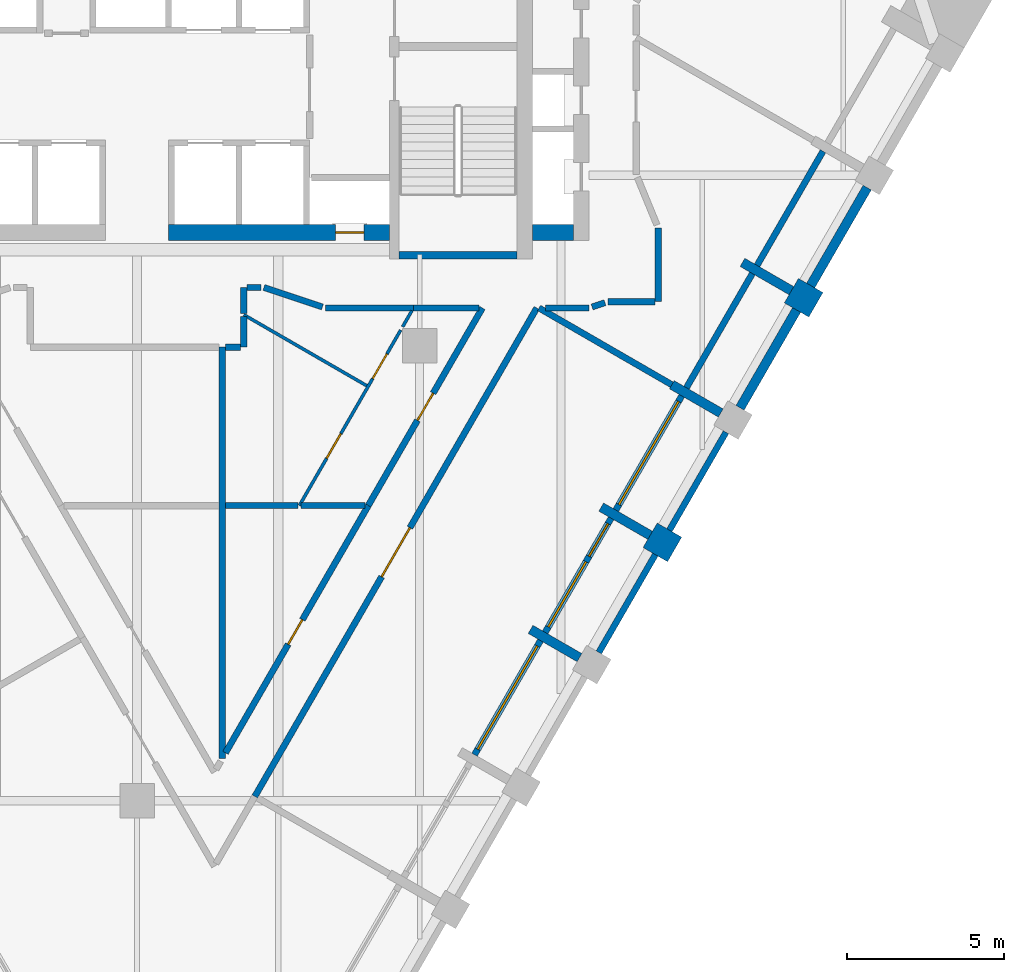
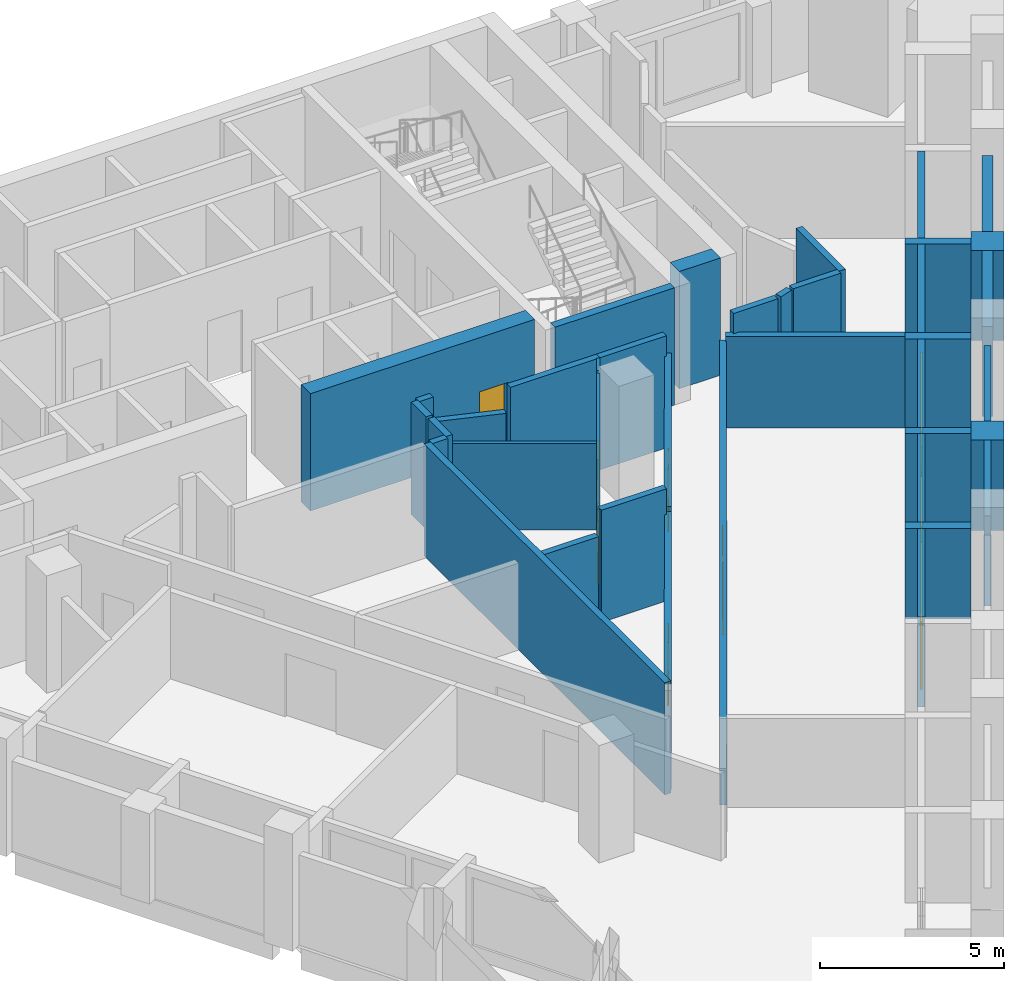
# One storey, part 4 of 9: 39 walls, 7 doors, 3 windows, 10 openings.
"""IFC4 building model written with IfcOpenShell, lengths in metres."""

import ifcopenshell
import ifcopenshell.guid

model = None  # the IFC model being written
_history = None  # IfcOwnerHistory: only IFC2X3 demands one
_inside = {}  # id of a spatial element -> (the spatial element, [elements in it])
_under = {}  # id of a project, library or spatial element -> (it, [spatial elements below it])
_declared = {}  # id of a project -> (the project, [libraries it declares])
_typed = {}  # id of a type object -> (the type object, [elements of that type])
_made_of = {}  # id of a material, layer set ... -> (it, [elements and type objects made of it])


def new_model(schema):
    """Start an empty IFC model of exactly this schema.

    Asked for "IFC4X3", IfcOpenShell would pick the latest addendum, in which some entities
    have other attributes; the version numbers below select the first issue.
    IFC2X3 requires an IfcOwnerHistory on every rooted entity: one is made here for all.
    """
    global model, _history
    if schema == "IFC4X3":
        model = ifcopenshell.file(schema_version=(4, 3, 0, 0))
    else:
        model = ifcopenshell.file(schema=schema)
    _inside.clear()
    _under.clear()
    _declared.clear()
    _typed.clear()
    _made_of.clear()
    _history = None
    if model.schema == "IFC2X3":
        org = make("IfcOrganization", Name="unknown")
        user = make(
            "IfcPersonAndOrganization",
            ThePerson=make("IfcPerson", FamilyName="unknown"),
            TheOrganization=org,
        )
        app = make(
            "IfcApplication",
            ApplicationDeveloper=org,
            Version="unknown",
            ApplicationFullName="unknown",
            ApplicationIdentifier="unknown",
        )
        _history = make(
            "IfcOwnerHistory",
            OwningUser=user,
            OwningApplication=app,
            ChangeAction="ADDED",
            CreationDate=0,
        )
    return model


def make(cls, **values):
    """One entity of the class cls with the attributes given. An attribute that is None is left unset."""
    return model.create_entity(
        cls, **{name: value for name, value in values.items() if value is not None}
    )


def rooted(cls, **values):
    """An entity with a GlobalId (a new one), such as an element, a storey or a relation."""
    return make(cls, GlobalId=ifcopenshell.guid.new(), OwnerHistory=_history, **values)


def si_unit(unit_type, name, prefix=None):
    """IfcSIUnit, for example si_unit("LENGTHUNIT", "METRE", prefix="MILLI")."""
    return make("IfcSIUnit", UnitType=unit_type, Prefix=prefix, Name=name)


def assignment(units):
    """IfcUnitAssignment: the units of a project."""
    return None if units is None else make("IfcUnitAssignment", Units=units)


def point(xyz):
    """IfcCartesianPoint."""
    return None if xyz is None else make("IfcCartesianPoint", Coordinates=xyz)


def direction(xyz):
    """IfcDirection."""
    return None if xyz is None else make("IfcDirection", DirectionRatios=xyz)


def frame(location, z_axis=None, x_axis=None):
    """IfcAxis2Placement3D, a coordinate frame: its origin and axes. An axis left out is left unset."""
    return make(
        "IfcAxis2Placement3D",
        Location=point(location),
        Axis=direction(z_axis),
        RefDirection=direction(x_axis),
    )


def frame_2d(location, x_axis=None):
    """IfcAxis2Placement2D, a coordinate frame in the plane: its origin and x axis."""
    return make(
        "IfcAxis2Placement2D", Location=point(location), RefDirection=direction(x_axis)
    )


def origin():
    """The frame at (0, 0, 0) with its axes left unset."""
    return frame((0.0, 0.0, 0.0))


def place(relative_to, where):
    """IfcLocalPlacement: puts the frame where relative to a parent placement (None: the world)."""
    return make(
        "IfcLocalPlacement", PlacementRelTo=relative_to, RelativePlacement=where
    )


def context(
    kind, dimensions, precision=None, world=None, true_north=None, identifier=None
):
    """IfcGeometricRepresentationContext, for example the 3D "Model" context."""
    return make(
        "IfcGeometricRepresentationContext",
        ContextIdentifier=identifier,
        ContextType=kind,
        CoordinateSpaceDimension=dimensions,
        Precision=precision,
        WorldCoordinateSystem=world,
        TrueNorth=true_north,
    )


def subcontext(parent, identifier, kind, view, scale=None):
    """IfcGeometricRepresentationSubContext, for example "Body" below "Model"."""
    return make(
        "IfcGeometricRepresentationSubContext",
        ContextIdentifier=identifier,
        ContextType=kind,
        ParentContext=parent,
        TargetScale=scale,
        TargetView=view,
    )


def project(units=None, contexts=None):
    """IfcProject with its units and contexts."""
    return rooted(
        "IfcProject",
        Name="project",
        RepresentationContexts=contexts,
        UnitsInContext=assignment(units),
    )


def spatial(cls, under=None, at=None, **own):
    """A site, building, storey or space (cls), placed at a placement, below another one or the project."""
    s = rooted(cls, ObjectPlacement=at, **own)
    if under is not None:
        _under.setdefault(under.id(), (under, []))[1].append(s)
    return s


def polyline(points):
    """IfcPolyline through the points."""
    return make("IfcPolyline", Points=[point(p) for p in points])


def profile(cls, at=None, kind="AREA", **sizes):
    """A parametric profile (cls). Its sizes go by their IFC names, for example OverallWidth=200.0."""
    return make(cls, ProfileType=kind, Position=at, **sizes)


def rectangle(**sizes):
    """IfcRectangleProfileDef."""
    return profile("IfcRectangleProfileDef", **sizes)


def outline(outer, holes=None, kind="AREA"):
    """IfcArbitraryClosedProfileDef: a profile drawn as a closed curve; with holes, ...WithVoids."""
    if holes is None:
        return make("IfcArbitraryClosedProfileDef", ProfileType=kind, OuterCurve=outer)
    return make(
        "IfcArbitraryProfileDefWithVoids",
        ProfileType=kind,
        OuterCurve=outer,
        InnerCurves=holes,
    )


def extrude(swept, where, along, depth):
    """IfcExtrudedAreaSolid: the profile swept, set in the frame where, extruded along a direction by depth."""
    return make(
        "IfcExtrudedAreaSolid",
        SweptArea=swept,
        Position=where,
        ExtrudedDirection=direction(along),
        Depth=depth,
    )


def shape(context_of_items, identifier, shape_type, items):
    """IfcShapeRepresentation: the items that make up one representation, for example the "Body"."""
    return make(
        "IfcShapeRepresentation",
        ContextOfItems=context_of_items,
        RepresentationIdentifier=identifier,
        RepresentationType=shape_type,
        Items=items,
    )


def material(Name=None, Category=None):
    """IfcMaterial."""
    return make("IfcMaterial", Name=Name, Category=Category)


def layer(
    of_material, thickness, ventilated=None, Name=None, Category=None, Priority=None
):
    """IfcMaterialLayer: one layer of a wall or slab, of a material (None: an air gap)."""
    return make(
        "IfcMaterialLayer",
        Material=of_material,
        LayerThickness=thickness,
        IsVentilated=ventilated,
        Name=Name,
        Category=Category,
        Priority=Priority,
    )


def layer_set(layers, Name=None):
    """IfcMaterialLayerSet."""
    return make("IfcMaterialLayerSet", MaterialLayers=layers, LayerSetName=Name)


def made_of(thing, what):
    """Note that an element or type object is made of a material, layer set ...; save() writes the relation."""
    if what is not None:
        _made_of.setdefault(what.id(), (what, []))[1].append(thing)
    return thing


def type_object(cls, material=None, **own):
    """A type object (cls), such as IfcWallType, which elements share."""
    return made_of(rooted(cls, **own), material)


def element(
    cls,
    number,
    at=None,
    inside=None,
    cuts=None,
    type_object=None,
    material=None,
    context=None,
    identifier="Body",
    shape_type=None,
    held_by="IfcProductDefinitionShape",
    body=None,
    shapes=None,
    **own,
):
    """One element of the class cls, such as IfcWall. Its Tag is "e" and its number.

    at: its placement. inside: the storey or other place that contains it. cuts: it is an
    opening in that element (IfcRelVoidsElement). A single representation is given by context,
    identifier, shape_type and body (its items); several are given by shapes. held_by: the class
    of the entity that holds the representations. save() writes the other relations.
    """
    e = rooted(cls, Tag="e%d" % number, ObjectPlacement=at, **own)
    if body is not None:
        shapes = [shape(context, identifier, shape_type, body)]
    if shapes is not None:
        e.Representation = make(held_by, Representations=shapes)
    if inside is not None:
        _inside.setdefault(inside.id(), (inside, []))[1].append(e)
    if cuts is not None:
        rooted(
            "IfcRelVoidsElement", RelatingBuildingElement=cuts, RelatedOpeningElement=e
        )
    if type_object is not None:
        _typed.setdefault(type_object.id(), (type_object, []))[1].append(e)
    return made_of(e, material)


def fill(opening, filler):
    """IfcRelFillsElement: the door or window that sits in an opening."""
    return rooted(
        "IfcRelFillsElement",
        RelatingOpeningElement=opening,
        RelatedBuildingElement=filler,
    )


def aggregate(whole, parts):
    """IfcRelAggregates: a whole, such as a stair, and the parts it consists of."""
    return rooted("IfcRelAggregates", RelatingObject=whole, RelatedObjects=parts)


def save(model, path):
    """Write the relations noted so far, then the file.

    IfcRelAggregates (storeys below a building ...), IfcRelContainedInSpatialStructure (elements
    in a storey), IfcRelDefinesByType, IfcRelAssociatesMaterial and IfcRelDeclares: one each for
    every whole, place, type object, material and project.
    """
    for whole, parts in _under.values():
        aggregate(whole, parts)
    for where, things in _inside.values():
        rooted(
            "IfcRelContainedInSpatialStructure",
            RelatedElements=things,
            RelatingStructure=where,
        )
    for kind, things in _typed.values():
        rooted("IfcRelDefinesByType", RelatedObjects=things, RelatingType=kind)
    for what, things in _made_of.values():
        rooted("IfcRelAssociatesMaterial", RelatedObjects=things, RelatingMaterial=what)
    for by, libraries in _declared.values():
        rooted("IfcRelDeclares", RelatingContext=by, RelatedDefinitions=libraries)
    model.write(path)


model = new_model("IFC4")

# Units and contexts
model_context = context("Model", 3, precision=1e-05, world=origin(), true_north=direction((0.0, 1.0)))
body_context = subcontext(model_context, "Body", "Model", "MODEL_VIEW")
ifc_project = project(units=[si_unit("LENGTHUNIT", "METRE"), si_unit("AREAUNIT", "SQUARE_METRE"), si_unit("VOLUMEUNIT", "CUBIC_METRE"), si_unit("PLANEANGLEUNIT", "RADIAN"), si_unit("MASSUNIT", "GRAM", prefix="KILO")], contexts=[model_context])

# Site, building, storey
site_placement = place(None, origin())
site = spatial("IfcSite", under=ifc_project, at=site_placement, CompositionType="ELEMENT")
building_placement = place(site_placement, origin())
building = spatial("IfcBuilding", under=site, at=building_placement, Name="Calabash Gate Tower", CompositionType="ELEMENT")
storey_placement = place(building_placement, frame((0.0, 0.0, 200.300048828125)))
storey = spatial("IfcBuildingStorey", under=building, at=storey_placement, Name="L47", CompositionType="ELEMENT", Elevation=200.300048828125)

# Walls
ifc_material_1 = material(Name="Terracotta brick masonry, exposed face", Category="masonry")
ifc_layer_1 = layer(ifc_material_1, 0.89990234375)
ifc_layer_set_1 = layer_set([ifc_layer_1], Name="Brick end wall 900")
wall_type_1 = type_object("IfcWallType", Name="Brick end wall 900", PredefinedType="SOLIDWALL", material=ifc_layer_set_1)
wall_1_placement = place(storey_placement, frame((17.12548828125, -3.9931640625, 0.0), z_axis=(0.0, 0.0, 1.0), x_axis=(-0.866013897511, 0.50001992892, 0.0)))
element("IfcWall", 1, at=wall_1_placement, inside=storey, type_object=wall_type_1, Name="Brick pier S13 SE2.5", PredefinedType="SOLIDWALL", context=body_context, shape_type="SweptSolid", body=[
    extrude(rectangle(XDim=0.89990234375, YDim=0.89990234375, at=frame_2d((0.449951171875, 0.0))), origin(), (0.0, 0.0, 1.0), 3.0),
])
wall_2_placement = place(storey_placement, frame((21.4609375, 4.415771484375, 0.0), z_axis=(0.0, 0.0, 1.0), x_axis=(-0.499902469156, -0.866081705922, 0.0)))
element("IfcWall", 2, at=wall_2_placement, inside=storey, type_object=wall_type_1, Name="Brick pier S13 SE2.7", PredefinedType="SOLIDWALL", context=body_context, shape_type="SweptSolid", body=[
    extrude(rectangle(XDim=0.900146484375, YDim=0.89990234375, at=frame_2d((0.4501953125, 0.0))), origin(), (0.0, 0.0, 1.0), 3.0),
])
ifc_material_2 = material(Name="Terracotta brick masonry, exposed face", Category="masonry")
ifc_layer_2 = layer(ifc_material_2, 0.300048828125)
ifc_layer_set_2 = layer_set([ifc_layer_2], Name="Brick infill panel wall 300")
wall_type_2 = type_object("IfcWallType", Name="Brick infill panel wall 300", PredefinedType="SOLIDWALL", material=ifc_layer_set_2)
for number, where, z_axis, x_axis, name in (
    (3, (19.2109375, 0.5185546875, 0.0), (0.0, 0.0, 1.0), (0.500012057535, 0.866018442252, 0.0), "Brick panel S13 SE2.7"),
    (4, (21.4609375, 4.415771484375, 0.0), (0.0, 0.0, 1.0), (0.500012057535, 0.866018442252, 0.0), "Brick panel S13 SE2.8"),
):
    element("IfcWall", number, at=place(storey_placement, frame(where, z_axis=z_axis, x_axis=x_axis)), inside=storey, type_object=wall_type_2, Name=name, PredefinedType="SOLIDWALL", context=body_context, shape_type="SweptSolid", body=[
        extrude(rectangle(XDim=3.60009765625, YDim=0.300048828125, at=frame_2d((1.800048828125, 0.0))), origin(), (0.0, 0.0, 1.0), 3.0),
    ])
ifc_material_3 = material(Name="Terracotta brick masonry, exposed face", Category="masonry")
ifc_layer_3 = layer(ifc_material_3, 0.300048828125)
ifc_layer_set_3 = layer_set([ifc_layer_3], Name="Brick loggia cheek wall 300")
wall_type_3 = type_object("IfcWallType", Name="Brick loggia cheek wall 300", PredefinedType="SOLIDWALL", material=ifc_layer_set_3)
wall_3_placement = place(storey_placement, frame((14.09521484375, -7.43994140625, 0.0), z_axis=(0.0, 0.0, 1.0), x_axis=(-0.86597086914, 0.50009444488, 0.0)))
element("IfcWall", 5, at=wall_3_placement, inside=storey, type_object=wall_type_3, Name="Loggia cheek S13 SE2.4", PredefinedType="SOLIDWALL", context=body_context, shape_type="SweptSolid", body=[
    extrude(rectangle(XDim=1.799072265625, YDim=0.300048828125, at=frame_2d((0.8994140625, 0.0))), origin(), (0.0, 0.0, 1.0), 3.0),
])
for number, where, z_axis, x_axis, name in (
    (6, (16.34619140625, -3.543212890625, 0.0), (0.0, 0.0, 1.0), (-0.866047807691, 0.499961193289, 0.0), "Loggia cheek S13 SE2.5"),
    (7, (18.59619140625, 0.353759765625, 0.0), (0.0, 0.0, 1.0), (-0.865989075817, 0.500062916607, 0.0), "Loggia cheek S13 SE2.6"),
    (8, (20.84619140625, 4.2509765625, 0.0), (0.0, 0.0, 1.0), (-0.866047807691, 0.499961193289, 0.0), "Loggia cheek S13 SE2.7"),
):
    element("IfcWall", number, at=place(storey_placement, frame(where, z_axis=z_axis, x_axis=x_axis)), inside=storey, type_object=wall_type_3, Name=name, PredefinedType="SOLIDWALL", context=body_context, shape_type="SweptSolid", body=[
        extrude(rectangle(XDim=1.800048828125, YDim=0.300048828125, at=frame_2d((0.89990234375, 0.0))), origin(), (0.0, 0.0, 1.0), 3.0),
    ])
ifc_material_4 = material(Name="Concrete C70/85", Category="concrete")
ifc_layer_4 = layer(ifc_material_4, 0.25)
ifc_layer_set_4 = layer_set([ifc_layer_4], Name="Core wall 250 Concrete C70/85")
wall_type_4 = type_object("IfcWallType", Name="Core wall 250 Concrete C70/85", PredefinedType="SHEAR", material=ifc_layer_set_4)
wall_4_placement = place(storey_placement, frame((8.35009765625, 5.377685546875, 0.0), z_axis=(0.0, 0.0, 1.0), x_axis=(1.0, 0.0, 0.0)))
element("IfcWall", 9, at=wall_4_placement, inside=storey, type_object=wall_type_4, Name="Core wall Z4-SSE L47", PredefinedType="SHEAR", context=body_context, shape_type="SweptSolid", body=[
    extrude(rectangle(XDim=3.75, YDim=0.25, at=frame_2d((1.875, 0.0))), origin(), (0.0, 0.0, 1.0), 3.89990234375),
])

# Wall, opening, door
ifc_material_5 = material(Name="Concrete C70/85", Category="concrete")
ifc_layer_5 = layer(ifc_material_5, 0.5)
ifc_layer_set_5 = layer_set([ifc_layer_5], Name="Core wall 500 Concrete C70/85")
wall_type_5 = type_object("IfcWallType", Name="Core wall 500 Concrete C70/85", PredefinedType="SHEAR", material=ifc_layer_set_5)
wall_5_placement = place(storey_placement, frame((1.0, 6.1025390625, 0.0), z_axis=(0.0, 0.0, 1.0), x_axis=(1.0, 0.0, 0.0)))
wall_5 = element("IfcWall", 10, at=wall_5_placement, inside=storey, type_object=wall_type_5, Name="Core wall Z4-SB L47", PredefinedType="SHEAR", context=body_context, shape_type="SweptSolid", body=[
    extrude(rectangle(XDim=7.050048828125, YDim=0.5, at=frame_2d((3.52490234375, 0.0))), origin(), (0.0, 0.0, 1.0), 3.89990234375),
])
opening_1_placement = place(wall_5_placement, frame((5.324951171875, 0.0, 0.0)))
opening_1 = element("IfcOpeningElement", 11, at=opening_1_placement, cuts=wall_5, Name="Opening O5-016", PredefinedType="OPENING", context=body_context, shape_type="SweptSolid", body=[
    extrude(rectangle(XDim=0.89990234375, YDim=2.10009765625, at=frame_2d((0.449951171875, 1.050048828125))), frame((0.0, 0.260009765625, 0.0), z_axis=(0.0, -1.0, 0.0), x_axis=(1.0, 0.0, 0.0)), (0.0, 0.0, 1.0), 0.52001953125),
])
ifc_material_6 = material(Name="Steel fire door set with fire-resisting glazing", Category="steel")
door_type_1 = type_object("IfcDoorType", Name="Fire door D07 900x2100 FD90", OperationType="NOTDEFINED", PredefinedType="DOOR", material=ifc_material_6)
door_1_placement = place(opening_1_placement, origin())
door_1 = element("IfcDoor", 12, at=door_1_placement, inside=storey, type_object=door_type_1, Name="Mechanical Riser E door", OperationType="SINGLE_SWING_RIGHT", OverallHeight=2.10009765625, OverallWidth=0.89990234375, PredefinedType="DOOR", context=body_context, shape_type="SweptSolid", body=[
    extrude(rectangle(XDim=0.89990234375, YDim=2.10009765625, at=frame_2d((0.449951171875, 1.050048828125))), frame((0.0, 0.02490234375, 0.0), z_axis=(0.0, -1.0, 0.0), x_axis=(1.0, 0.0, 0.0)), (0.0, 0.0, 1.0), 0.050048828125),
])
fill(opening_1, door_1)

# Wall
wall_6_placement = place(storey_placement, frame((12.60009765625, 6.1025390625, 0.0), z_axis=(0.0, 0.0, 1.0), x_axis=(1.0, 0.0, 0.0)))
element("IfcWall", 13, at=wall_6_placement, inside=storey, type_object=wall_type_5, Name="Core wall Z4-SE L47", PredefinedType="SHEAR", context=body_context, shape_type="SweptSolid", body=[
    extrude(rectangle(XDim=1.2998046875, YDim=0.5, at=frame_2d((0.64990234375, 0.0))), origin(), (0.0, 0.0, 1.0), 3.89990234375),
])

# Wall, openings, doors
ifc_material_7 = material(Name="Gypsum board on steel studs, mineral wool", Category="steel")
ifc_layer_6 = layer(ifc_material_7, 0.10009765625)
ifc_layer_set_6 = layer_set([ifc_layer_6], Name="Partition 100 gypsum board")
wall_type_6 = type_object("IfcWallType", Name="Partition 100 gypsum board", PredefinedType="PARTITIONING", material=ifc_layer_set_6)
wall_7_placement = place(storey_placement, frame((5.17138671875, -2.5947265625, 0.0), z_axis=(0.0, 0.0, 1.0), x_axis=(0.499959304802, 0.866048897893, 0.0)))
wall_7 = element("IfcWall", 14, at=wall_7_placement, inside=storey, type_object=wall_type_6, Name="Partition", PredefinedType="PARTITIONING", context=body_context, shape_type="SweptSolid", body=[
    extrude(rectangle(XDim=6.4541015625, YDim=0.10009765625, at=frame_2d((3.22705078125, 0.0))), origin(), (0.0, 0.0, 1.0), 3.72998046875),
])
opening_2_placement = place(wall_7_placement, frame((1.7392578125, 0.0, 0.0)))
opening_2 = element("IfcOpeningElement", 15, at=opening_2_placement, cuts=wall_7, Name="Opening 46-48-014", PredefinedType="OPENING", context=body_context, shape_type="SweptSolid", body=[
    extrude(rectangle(XDim=0.89990234375, YDim=2.10009765625, at=frame_2d((0.449951171875, 1.050048828125))), frame((0.0, 0.06005859375, 0.0), z_axis=(0.0, -1.0, 0.0), x_axis=(1.0, 0.0, 0.0)), (0.0, 0.0, 1.0), 0.1201171875),
])
opening_3_placement = place(wall_7_placement, frame((4.67333984375, 0.0, 0.0)))
opening_3 = element("IfcOpeningElement", 16, at=opening_3_placement, cuts=wall_7, Name="Opening 46-48-015", PredefinedType="OPENING", context=body_context, shape_type="SweptSolid", body=[
    extrude(rectangle(XDim=0.89990234375, YDim=2.10009765625, at=frame_2d((0.449951171875, 1.050048828125))), frame((0.0, 0.06005859375, 0.0), z_axis=(0.0, -1.0, 0.0), x_axis=(1.0, 0.0, 0.0)), (0.0, 0.0, 1.0), 0.1201171875),
])
ifc_material_8 = material(Name="Painted timber door", Category="wood")
door_type_2 = type_object("IfcDoorType", Name="WD1 WC door 900x2100", OperationType="NOTDEFINED", PredefinedType="DOOR", material=ifc_material_8)
door_2_placement = place(opening_2_placement, origin())
door_2 = element("IfcDoor", 17, at=door_2_placement, inside=storey, type_object=door_type_2, Name="WC door", OperationType="SINGLE_SWING_LEFT", OverallHeight=2.10009765625, OverallWidth=0.89990234375, PredefinedType="DOOR", context=body_context, shape_type="SweptSolid", body=[
    extrude(rectangle(XDim=0.89990234375, YDim=2.10009765625, at=frame_2d((0.449951171875, 1.050048828125))), frame((0.0, 0.02490234375, 0.0), z_axis=(0.0, -1.0, 0.0), x_axis=(1.0, 0.0, 0.0)), (0.0, 0.0, 1.0), 0.050048828125),
])
fill(opening_2, door_2)
door_3_placement = place(opening_3_placement, origin())
door_3 = element("IfcDoor", 18, at=door_3_placement, inside=storey, type_object=door_type_2, Name="WC door", OperationType="SINGLE_SWING_RIGHT", OverallHeight=2.10009765625, OverallWidth=0.89990234375, PredefinedType="DOOR", context=body_context, shape_type="SweptSolid", body=[
    extrude(rectangle(XDim=0.89990234375, YDim=2.10009765625, at=frame_2d((0.449951171875, 1.050048828125))), frame((0.0, 0.02490234375, 0.0), z_axis=(0.0, -1.0, 0.0), x_axis=(1.0, 0.0, 0.0)), (0.0, 0.0, 1.0), 0.050048828125),
])
fill(opening_3, door_3)

# Walls
wall_8_placement = place(storey_placement, frame((8.461181640625, 3.10009765625, 0.0), z_axis=(0.0, 0.0, 1.0), x_axis=(0.497827271586, 0.867276200334, 0.0)))
element("IfcWall", 19, at=wall_8_placement, inside=storey, type_object=wall_type_6, Name="Partition", PredefinedType="PARTITIONING", context=body_context, shape_type="SweptSolid", body=[
    extrude(rectangle(XDim=0.591552734375, YDim=0.10009765625, at=frame_2d((0.2958984375, 0.0))), origin(), (0.0, 0.0, 1.0), 3.72998046875),
])
wall_9_placement = place(storey_placement, frame((3.400390625, 3.484375, 0.0), z_axis=(0.0, 0.0, 1.0), x_axis=(0.866039077776, -0.499976315204, 0.0)))
element("IfcWall", 20, at=wall_9_placement, inside=storey, type_object=wall_type_6, Name="Partition", PredefinedType="PARTITIONING", context=body_context, shape_type="SweptSolid", body=[
    extrude(rectangle(XDim=4.523193359375, YDim=0.10009765625, at=frame_2d((2.26171875, 0.0))), origin(), (0.0, 0.0, 1.0), 2.884033203125),
])

# Wall, opening, door
ifc_material_9 = material(Name="Gypsum board on steel studs, mineral wool", Category="steel")
ifc_layer_7 = layer(ifc_material_9, 0.199951171875)
ifc_layer_set_7 = layer_set([ifc_layer_7], Name="Partition 200 gypsum board EI 60")
wall_type_7 = type_object("IfcWallType", Name="Partition 200 gypsum board EI 60", PredefinedType="PARTITIONING", material=ifc_layer_set_7)
wall_10_placement = place(storey_placement, frame((2.81689453125, -10.47265625, 0.0), z_axis=(0.0, 0.0, 1.0), x_axis=(0.500185489254, 0.865918285024, 0.0)))
wall_10 = element("IfcWall", 21, at=wall_10_placement, inside=storey, type_object=wall_type_7, Name="Partition", PredefinedType="PARTITIONING", context=body_context, shape_type="SweptSolid", body=[
    extrude(rectangle(XDim=9.09716796875, YDim=0.199951171875, at=frame_2d((4.548583984375, 0.0))), origin(), (0.0, 0.0, 1.0), 2.884033203125),
])
opening_4_placement = place(wall_10_placement, frame((3.995361328125, 0.0, 0.0)))
opening_4 = element("IfcOpeningElement", 22, at=opening_4_placement, cuts=wall_10, Name="Opening 46-48-005", PredefinedType="OPENING", context=body_context, shape_type="SweptSolid", body=[
    extrude(rectangle(XDim=0.89990234375, YDim=2.10009765625, at=frame_2d((0.449951171875, 1.050048828125))), frame((0.0, 0.10986328125, 0.0), z_axis=(0.0, -1.0, 0.0), x_axis=(1.0, 0.0, 0.0)), (0.0, 0.0, 1.0), 0.219970703125),
])
ifc_material_10 = material(Name="Steel fire door set with fire-resisting glazing", Category="steel")
door_type_3 = type_object("IfcDoorType", Name="SD3 Store door 900x2100", OperationType="NOTDEFINED", PredefinedType="DOOR", material=ifc_material_10)
door_4_placement = place(opening_4_placement, origin())
door_4 = element("IfcDoor", 23, at=door_4_placement, inside=storey, type_object=door_type_3, Name="Store door", OperationType="SINGLE_SWING_LEFT", OverallHeight=2.10009765625, OverallWidth=0.89990234375, PredefinedType="DOOR", context=body_context, shape_type="SweptSolid", body=[
    extrude(rectangle(XDim=0.89990234375, YDim=2.10009765625, at=frame_2d((0.449951171875, 1.050048828125))), frame((0.0, 0.02490234375, 0.0), z_axis=(0.0, -1.0, 0.0), x_axis=(1.0, 0.0, 0.0)), (0.0, 0.0, 1.0), 0.050048828125),
])
fill(opening_4, door_4)

# Walls
wall_11_placement = place(storey_placement, frame((2.81689453125, -2.593017578125, 0.0), z_axis=(0.0, 0.0, 1.0), x_axis=(1.0, 0.0, 0.0)))
element("IfcWall", 24, at=wall_11_placement, inside=storey, type_object=wall_type_7, Name="Partition", PredefinedType="PARTITIONING", context=body_context, shape_type="SweptSolid", body=[
    extrude(rectangle(XDim=2.307373046875, YDim=0.199951171875, at=frame_2d((1.15380859375, 0.0))), origin(), (0.0, 0.0, 1.0), 2.884033203125),
])
wall_12_placement = place(storey_placement, frame((5.223388671875, -2.5947265625, 0.0), z_axis=(0.0, 0.0, 1.0), x_axis=(0.999999821446, 0.000597585647, 0.0)))
element("IfcWall", 25, at=wall_12_placement, inside=storey, type_object=wall_type_7, Name="Partition", PredefinedType="PARTITIONING", context=body_context, shape_type="SweptSolid", body=[
    extrude(rectangle(XDim=2.042724609375, YDim=0.199951171875, at=frame_2d((1.021484375, 0.0))), origin(), (0.0, 0.0, 1.0), 3.72998046875),
])

# Wall, opening, door
wall_13_placement = place(storey_placement, frame((7.365966796875, -2.59326171875, 0.0), z_axis=(0.0, 0.0, 1.0), x_axis=(0.500232263529, 0.865891264839, 0.0)))
wall_13 = element("IfcWall", 26, at=wall_13_placement, inside=storey, type_object=wall_type_7, Name="Partition", PredefinedType="PARTITIONING", context=body_context, shape_type="SweptSolid", body=[
    extrude(rectangle(XDim=7.267578125, YDim=0.199951171875, at=frame_2d((3.6337890625, 0.0))), origin(), (0.0, 0.0, 1.0), 3.0517578125),
])
opening_5_placement = place(wall_13_placement, frame((3.133544921875, 0.0, 0.0)))
opening_5 = element("IfcOpeningElement", 27, at=opening_5_placement, cuts=wall_13, Name="Opening 46-48-013", PredefinedType="OPENING", context=body_context, shape_type="SweptSolid", body=[
    extrude(rectangle(XDim=1.0, YDim=2.10009765625, at=frame_2d((0.5, 1.050048828125))), frame((0.0, 0.10986328125, 0.0), z_axis=(0.0, -1.0, 0.0), x_axis=(1.0, 0.0, 0.0)), (0.0, 0.0, 1.0), 0.219970703125),
])
ifc_material_11 = material(Name="Steel fire door set with fire-resisting glazing", Category="steel")
door_type_4 = type_object("IfcDoorType", Name="WD3 WC lobby door 1000x2100", OperationType="NOTDEFINED", PredefinedType="DOOR", material=ifc_material_11)
door_5_placement = place(opening_5_placement, origin())
door_5 = element("IfcDoor", 28, at=door_5_placement, inside=storey, type_object=door_type_4, Name="WC lobby door", OperationType="SINGLE_SWING_LEFT", OverallHeight=2.10009765625, OverallWidth=1.0, PredefinedType="DOOR", context=body_context, shape_type="SweptSolid", body=[
    extrude(rectangle(XDim=1.0, YDim=2.10009765625, at=frame_2d((0.5, 1.050048828125))), frame((0.0, 0.02490234375, 0.0), z_axis=(0.0, -1.0, 0.0), x_axis=(1.0, 0.0, 0.0)), (0.0, 0.0, 1.0), 0.050048828125),
])
fill(opening_5, door_5)

# Walls
wall_14_placement = place(storey_placement, frame((2.717041015625, -10.645751953125, 0.0), z_axis=(0.0, 0.0, 1.0), x_axis=(0.0, 1.0, 0.0)))
element("IfcWall", 29, at=wall_14_placement, inside=storey, type_object=wall_type_7, Name="Partition", PredefinedType="PARTITIONING", context=body_context, shape_type="SweptSolid", body=[
    extrude(rectangle(XDim=13.096435546875, YDim=0.199951171875, at=frame_2d((6.54833984375, 0.0))), origin(), (0.0, 0.0, 1.0), 3.72998046875),
])
wall_15_placement = place(storey_placement, frame((2.81689453125, 2.45068359375, 0.0), z_axis=(0.0, 0.0, 1.0), x_axis=(0.999995404022, 0.003031820325, 0.0)))
element("IfcWall", 30, at=wall_15_placement, inside=storey, type_object=wall_type_7, Name="Partition", PredefinedType="PARTITIONING", context=body_context, shape_type="SweptSolid", body=[
    extrude(rectangle(XDim=0.483154296875, YDim=0.199951171875, at=frame_2d((0.24169921875, 0.0))), origin(), (0.0, 0.0, 1.0), 3.72998046875),
])
wall_16_placement = place(storey_placement, frame((3.39990234375, 2.452392578125, 0.0), z_axis=(0.0, 0.0, 1.0), x_axis=(0.001995008499, 0.999998009969, 0.0)))
element("IfcWall", 31, at=wall_16_placement, inside=storey, type_object=wall_type_7, Name="Partition", PredefinedType="PARTITIONING", context=body_context, shape_type="SweptSolid", body=[
    extrude(rectangle(XDim=0.97900390625, YDim=0.199951171875, at=frame_2d((0.489501953125, 0.0))), origin(), (0.0, 0.0, 1.0), 3.72998046875),
])
wall_17_placement = place(storey_placement, frame((6.0, 3.69970703125, 0.0), z_axis=(0.0, 0.0, 1.0), x_axis=(0.999999814584, -0.000608960305, 0.0)))
element("IfcWall", 32, at=wall_17_placement, inside=storey, type_object=wall_type_7, Name="Partition", PredefinedType="PARTITIONING", context=body_context, shape_type="SweptSolid", body=[
    extrude(rectangle(XDim=2.806396484375, YDim=0.199951171875, at=frame_2d((1.4033203125, 0.0))), origin(), (0.0, 0.0, 1.0), 3.72998046875),
])
wall_18_placement = place(storey_placement, frame((8.806640625, 3.697998046875, 0.0), z_axis=(0.0, 0.0, 1.0), x_axis=(0.999999667194, 0.000815850544, 0.0)))
element("IfcWall", 33, at=wall_18_placement, inside=storey, type_object=wall_type_7, Name="Partition", PredefinedType="PARTITIONING", context=body_context, shape_type="SweptSolid", body=[
    extrude(rectangle(XDim=2.0947265625, YDim=0.199951171875, at=frame_2d((1.04736328125, 0.0))), origin(), (0.0, 0.0, 1.0), 3.72998046875),
])

# Wall, opening, door
wall_19_placement = place(storey_placement, frame((3.752197265625, -11.860595703125, 0.0), z_axis=(0.0, 0.0, 1.0), x_axis=(0.499914191036, 0.866074939945, 0.0)))
wall_19 = element("IfcWall", 34, at=wall_19_placement, inside=storey, type_object=wall_type_7, Name="Partition", PredefinedType="PARTITIONING", context=body_context, shape_type="SweptSolid", body=[
    extrude(rectangle(XDim=17.966552734375, YDim=0.199951171875, at=frame_2d((8.9833984375, 0.0))), origin(), (0.0, 0.0, 1.0), 2.884033203125),
])
opening_6_placement = place(wall_19_placement, frame((8.083251953125, 0.0, 0.0)))
opening_6 = element("IfcOpeningElement", 35, at=opening_6_placement, cuts=wall_19, Name="Opening 46-48-002", PredefinedType="OPENING", context=body_context, shape_type="SweptSolid", body=[
    extrude(rectangle(XDim=1.800048828125, YDim=2.39990234375, at=frame_2d((0.89990234375, 1.199951171875))), frame((0.0, 0.10986328125, 0.0), z_axis=(0.0, -1.0, 0.0), x_axis=(1.0, 0.0, 0.0)), (0.0, 0.0, 1.0), 0.219970703125),
])
ifc_material_12 = material(Name="Steel fire door set with fire-resisting glazing", Category="steel")
door_type_5 = type_object("IfcDoorType", Name="OD5 Open office double door 1800x2400", OperationType="NOTDEFINED", PredefinedType="DOOR", material=ifc_material_12)
door_6_placement = place(opening_6_placement, origin())
door_6 = element("IfcDoor", 36, at=door_6_placement, inside=storey, type_object=door_type_5, Name="Open office double door", OperationType="DOUBLE_DOOR_SINGLE_SWING", OverallHeight=2.39990234375, OverallWidth=1.800048828125, PredefinedType="DOOR", context=body_context, shape_type="SweptSolid", body=[
    extrude(rectangle(XDim=1.800048828125, YDim=2.39990234375, at=frame_2d((0.89990234375, 1.199951171875))), frame((0.0, 0.02490234375, 0.0), z_axis=(0.0, -1.0, 0.0), x_axis=(1.0, 0.0, 0.0)), (0.0, 0.0, 1.0), 0.050048828125),
])
fill(opening_6, door_6)

# Walls
wall_20_placement = place(storey_placement, frame((12.805419921875, 3.699462890625, 0.0), z_axis=(0.0, 0.0, 1.0), x_axis=(0.865881901496, -0.500248470925, 0.0)))
element("IfcWall", 37, at=wall_20_placement, inside=storey, type_object=wall_type_7, Name="Partition", PredefinedType="PARTITIONING", context=body_context, shape_type="SweptSolid", body=[
    extrude(rectangle(XDim=4.8876953125, YDim=0.199951171875, at=frame_2d((2.44384765625, 0.0))), origin(), (0.0, 0.0, 1.0), 3.0517578125),
])
wall_21_placement = place(storey_placement, frame((13.007568359375, 3.6982421875, 0.0), z_axis=(0.0, 0.0, 1.0), x_axis=(0.999999615671, 0.000876731208, 0.0)))
element("IfcWall", 38, at=wall_21_placement, inside=storey, type_object=wall_type_7, Name="Partition", PredefinedType="PARTITIONING", context=body_context, shape_type="SweptSolid", body=[
    extrude(rectangle(XDim=1.392333984375, YDim=0.199951171875, at=frame_2d((0.6962890625, 0.0))), origin(), (0.0, 0.0, 1.0), 3.72998046875),
])
wall_22_placement = place(storey_placement, frame((4.042236328125, 4.352294921875, 0.0), z_axis=(0.0, 0.0, 1.0), x_axis=(0.948695731075, -0.316190464499, 0.0)))
element("IfcWall", 39, at=wall_22_placement, inside=storey, type_object=wall_type_7, Name="Partition", PredefinedType="PARTITIONING", context=body_context, shape_type="SweptSolid", body=[
    extrude(rectangle(XDim=1.963623046875, YDim=0.199951171875, at=frame_2d((0.98193359375, 0.0))), origin(), (0.0, 0.0, 1.0), 2.884033203125),
])
wall_23_placement = place(storey_placement, frame((14.494873046875, 3.731201171875, 0.0), z_axis=(0.0, 0.0, 1.0), x_axis=(0.948739721949, 0.316058443957, 0.0)))
element("IfcWall", 40, at=wall_23_placement, inside=storey, type_object=wall_type_7, Name="Partition", PredefinedType="PARTITIONING", context=body_context, shape_type="SweptSolid", body=[
    extrude(rectangle(XDim=0.4326171875, YDim=0.199951171875, at=frame_2d((0.21630859375, 0.0))), origin(), (0.0, 0.0, 1.0), 3.72998046875),
])
wall_24_placement = place(storey_placement, frame((15.0, 3.8994140625, 0.0), z_axis=(0.0, 0.0, 1.0), x_axis=(0.999999947053, 0.000325414887, 0.0)))
element("IfcWall", 41, at=wall_24_placement, inside=storey, type_object=wall_type_7, Name="Partition", PredefinedType="PARTITIONING", context=body_context, shape_type="SweptSolid", body=[
    extrude(rectangle(XDim=1.50048828125, YDim=0.199951171875, at=frame_2d((0.750244140625, 0.0))), origin(), (0.0, 0.0, 1.0), 3.72998046875),
])
wall_25_placement = place(storey_placement, frame((3.402099609375, 3.531494140625, 0.0), z_axis=(0.0, 0.0, 1.0), x_axis=(0.0, 1.0, 0.0)))
element("IfcWall", 42, at=wall_25_placement, inside=storey, type_object=wall_type_7, Name="Partition", PredefinedType="PARTITIONING", context=body_context, shape_type="SweptSolid", body=[
    extrude(rectangle(XDim=0.819091796875, YDim=0.199951171875, at=frame_2d((0.40966796875, 0.0))), origin(), (0.0, 0.0, 1.0), 3.72998046875),
])
wall_26_placement = place(storey_placement, frame((3.501953125, 4.350830078125, 0.0), z_axis=(0.0, 0.0, 1.0), x_axis=(0.999996159087, 0.00277160798, 0.0)))
element("IfcWall", 43, at=wall_26_placement, inside=storey, type_object=wall_type_7, Name="Partition", PredefinedType="PARTITIONING", context=body_context, shape_type="SweptSolid", body=[
    extrude(rectangle(XDim=0.4404296875, YDim=0.199951171875, at=frame_2d((0.22021484375, 0.0))), origin(), (0.0, 0.0, 1.0), 3.72998046875),
])
wall_27_placement = place(storey_placement, frame((16.6005859375, 3.89990234375, 0.0), z_axis=(0.0, 0.0, 1.0), x_axis=(0.0, 1.0, 0.0)))
element("IfcWall", 44, at=wall_27_placement, inside=storey, type_object=wall_type_7, Name="Partition", PredefinedType="PARTITIONING", context=body_context, shape_type="SweptSolid", body=[
    extrude(rectangle(XDim=2.352783203125, YDim=0.199951171875, at=frame_2d((1.17626953125, 0.0))), origin(), (0.0, 0.0, 1.0), 3.72998046875),
])
ifc_material_13 = material(Name="Terracotta brick masonry, perforated", Category="masonry")
ifc_layer_8 = layer(ifc_material_13, 0.199951171875)
ifc_layer_set_8 = layer_set([ifc_layer_8], Name="Terracotta jaali screen A")
wall_type_8 = type_object("IfcWallType", Name="Terracotta jaali screen A", PredefinedType="SOLIDWALL", material=ifc_layer_set_8)
wall_28_placement = place(storey_placement, origin())
element("IfcWall", 45, at=wall_28_placement, inside=storey, type_object=wall_type_8, Name="SCREEN A S13 SE2.5", PredefinedType="SOLIDWALL", context=body_context, shape_type="SweptSolid", body=[
    extrude(outline(polyline([(16.42431640625, -4.10791015625), (14.625244140625, -7.223876953125), (14.798583984375, -7.32373046875), (16.597412109375, -4.2080078125), (16.42431640625, -4.10791015625)])), origin(), (0.0, 0.0, 1.0), 3.0),
])
wall_29_placement = place(storey_placement, frame((16.9609375, -3.378662109375, 0.0), z_axis=(0.0, 0.0, 1.0), x_axis=(0.499982693035, 0.866035395735, 0.0)))
element("IfcWall", 46, at=wall_29_placement, inside=storey, type_object=wall_type_8, Name="SCREEN A S13 SE2.6", PredefinedType="SOLIDWALL", context=body_context, shape_type="SweptSolid", body=[
    extrude(rectangle(XDim=3.600341796875, YDim=0.199951171875, at=frame_2d((1.80029296875, 0.0))), origin(), (0.0, 0.0, 1.0), 3.0),
])

# Wall, opening, window
ifc_material_14 = material(Name="Aluminium framed window wall with insulated spandrel", Category="aluminium")
ifc_layer_9 = layer(ifc_material_14, 0.199951171875)
ifc_layer_set_9 = layer_set([ifc_layer_9], Name="Window wall 200")
wall_type_9 = type_object("IfcWallType", Name="Window wall 200", PredefinedType="ELEMENTEDWALL", material=ifc_layer_set_9)
wall_30_placement = place(storey_placement, frame((10.751953125, -10.532470703125, 0.0), z_axis=(0.0, 0.0, 1.0), x_axis=(0.500027713859, 0.866009402589, 0.0)))
wall_30 = element("IfcWall", 47, at=wall_30_placement, inside=storey, type_object=wall_type_9, Name="Window wall S13 SE2.4", PredefinedType="ELEMENTEDWALL", context=body_context, shape_type="SweptSolid", body=[
    extrude(rectangle(XDim=4.199951171875, YDim=0.199951171875, at=frame_2d((2.10009765625, 0.0))), origin(), (0.0, 0.0, 1.0), 3.0),
])
opening_7_placement = place(wall_30_placement, frame((0.199951171875, 0.0, 0.449951171875)))
opening_7 = element("IfcOpeningElement", 48, at=opening_7_placement, cuts=wall_30, Name="Opening OW2", PredefinedType="OPENING", context=body_context, shape_type="SweptSolid", body=[
    extrude(rectangle(XDim=3.800048828125, YDim=2.25, at=frame_2d((1.89990234375, 1.125))), frame((0.0, 0.10986328125, 0.0), z_axis=(0.0, -1.0, 0.0), x_axis=(1.0, 0.0, 0.0)), (0.0, 0.0, 1.0), 0.219970703125),
])
ifc_material_15 = material(Name="Anodised aluminium frame, bronze finish, impact-rated laminated clear glazing", Category="aluminium")
window_type_1 = type_object("IfcWindowType", Name="Window OW2 3800x2250", PartitioningType="TRIPLE_PANEL_VERTICAL", PredefinedType="WINDOW", material=ifc_material_15)
window_1_placement = place(opening_7_placement, origin())
window_1 = element("IfcWindow", 49, at=window_1_placement, inside=storey, type_object=window_type_1, Name="Window OW2 S13 SE2.4", OverallHeight=2.25, OverallWidth=3.800048828125, PartitioningType="SINGLE_PANEL", PredefinedType="WINDOW", context=body_context, shape_type="SweptSolid", body=[
    extrude(rectangle(XDim=3.800048828125, YDim=2.25, at=frame_2d((1.89990234375, 1.125))), frame((0.0, 0.030029296875, 0.0), z_axis=(0.0, -1.0, 0.0), x_axis=(1.0, 0.0, 0.0)), (0.0, 0.0, 1.0), 0.06005859375),
])
fill(opening_7, window_1)

# Wall, openings, door, window
wall_31_placement = place(storey_placement, frame((13.001953125, -6.635498046875, 0.0), z_axis=(0.0, 0.0, 1.0), x_axis=(0.500002543286, 0.866023935413, 0.0)))
wall_31 = element("IfcWall", 50, at=wall_31_placement, inside=storey, type_object=wall_type_9, Name="Window wall S13 SE2.5", PredefinedType="ELEMENTEDWALL", context=body_context, shape_type="SweptSolid", body=[
    extrude(rectangle(XDim=4.2001953125, YDim=0.199951171875, at=frame_2d((2.10009765625, 0.0))), origin(), (0.0, 0.0, 1.0), 3.0),
])
opening_8_placement = place(wall_31_placement, frame((0.199951171875, 0.0, 0.449951171875)))
opening_8 = element("IfcOpeningElement", 51, at=opening_8_placement, cuts=wall_31, Name="Opening OW1", PredefinedType="OPENING", context=body_context, shape_type="SweptSolid", body=[
    extrude(rectangle(XDim=2.39990234375, YDim=2.25, at=frame_2d((1.199951171875, 1.125))), frame((0.0, 0.10986328125, 0.0), z_axis=(0.0, -1.0, 0.0), x_axis=(1.0, 0.0, 0.0)), (0.0, 0.0, 1.0), 0.219970703125),
])
opening_9_placement = place(wall_31_placement, frame((2.800048828125, 0.0, 0.0)))
opening_9 = element("IfcOpeningElement", 52, at=opening_9_placement, cuts=wall_31, Name="Opening O5-025", PredefinedType="OPENING", context=body_context, shape_type="SweptSolid", body=[
    extrude(rectangle(XDim=1.199951171875, YDim=2.699951171875, at=frame_2d((0.60009765625, 1.35009765625))), frame((0.0, 0.10986328125, 0.0), z_axis=(0.0, -1.0, 0.0), x_axis=(1.0, 0.0, 0.0)), (0.0, 0.0, 1.0), 0.219970703125),
])
ifc_material_16 = material(Name="Anodised aluminium frame, bronze finish, impact-rated laminated clear glazing", Category="aluminium")
door_type_6 = type_object("IfcDoorType", Name="Loggia door DO1 1200x2700", OperationType="SLIDING_TO_LEFT", PredefinedType="DOOR", material=ifc_material_16)
door_7_placement = place(opening_9_placement, origin())
door_7 = element("IfcDoor", 53, at=door_7_placement, inside=storey, type_object=door_type_6, Name="Loggia door S13 SE2.5", OperationType="SINGLE_SWING_LEFT", OverallHeight=2.699951171875, OverallWidth=1.199951171875, PredefinedType="DOOR", context=body_context, shape_type="SweptSolid", body=[
    extrude(rectangle(XDim=1.199951171875, YDim=2.699951171875, at=frame_2d((0.60009765625, 1.35009765625))), frame((0.0, 0.02490234375, 0.0), z_axis=(0.0, -1.0, 0.0), x_axis=(1.0, 0.0, 0.0)), (0.0, 0.0, 1.0), 0.050048828125),
])
fill(opening_9, door_7)
ifc_material_17 = material(Name="Anodised aluminium frame, bronze finish, impact-rated laminated clear glazing", Category="aluminium")
window_type_2 = type_object("IfcWindowType", Name="Window OW1 2400x2250", PartitioningType="DOUBLE_PANEL_VERTICAL", PredefinedType="WINDOW", material=ifc_material_17)
window_2_placement = place(opening_8_placement, origin())
window_2 = element("IfcWindow", 54, at=window_2_placement, inside=storey, type_object=window_type_2, Name="Window OW1 S13 SE2.5", OverallHeight=2.25, OverallWidth=2.39990234375, PartitioningType="SINGLE_PANEL", PredefinedType="WINDOW", context=body_context, shape_type="SweptSolid", body=[
    extrude(rectangle(XDim=2.39990234375, YDim=2.25, at=frame_2d((1.199951171875, 1.125))), frame((0.0, 0.030029296875, 0.0), z_axis=(0.0, -1.0, 0.0), x_axis=(1.0, 0.0, 0.0)), (0.0, 0.0, 1.0), 0.06005859375),
])
fill(opening_8, window_2)

# Wall, opening, window
wall_32_placement = place(storey_placement, frame((15.251953125, -2.73828125, 0.0), z_axis=(0.0, 0.0, 1.0), x_axis=(0.500027713859, 0.866009402589, 0.0)))
wall_32 = element("IfcWall", 55, at=wall_32_placement, inside=storey, type_object=wall_type_9, Name="Window wall S13 SE2.6", PredefinedType="ELEMENTEDWALL", context=body_context, shape_type="SweptSolid", body=[
    extrude(rectangle(XDim=4.199951171875, YDim=0.199951171875, at=frame_2d((2.10009765625, 0.0))), origin(), (0.0, 0.0, 1.0), 3.0),
])
opening_10_placement = place(wall_32_placement, frame((0.199951171875, 0.0, 0.449951171875)))
opening_10 = element("IfcOpeningElement", 56, at=opening_10_placement, cuts=wall_32, Name="Opening OW2", PredefinedType="OPENING", context=body_context, shape_type="SweptSolid", body=[
    extrude(rectangle(XDim=3.800048828125, YDim=2.25, at=frame_2d((1.89990234375, 1.125))), frame((0.0, 0.10986328125, 0.0), z_axis=(0.0, -1.0, 0.0), x_axis=(1.0, 0.0, 0.0)), (0.0, 0.0, 1.0), 0.219970703125),
])
window_3_placement = place(opening_10_placement, origin())
window_3 = element("IfcWindow", 57, at=window_3_placement, inside=storey, type_object=window_type_1, Name="Window OW2 S13 SE2.6", OverallHeight=2.25, OverallWidth=3.800048828125, PartitioningType="SINGLE_PANEL", PredefinedType="WINDOW", context=body_context, shape_type="SweptSolid", body=[
    extrude(rectangle(XDim=3.800048828125, YDim=2.25, at=frame_2d((1.89990234375, 1.125))), frame((0.0, 0.030029296875, 0.0), z_axis=(0.0, -1.0, 0.0), x_axis=(1.0, 0.0, 0.0)), (0.0, 0.0, 1.0), 0.06005859375),
])
fill(opening_10, window_3)

# Walls
wall_33_placement = place(storey_placement, frame((17.501953125, 1.15869140625, 0.0), z_axis=(0.0, 0.0, 1.0), x_axis=(0.500002543286, 0.866023935413, 0.0)))
element("IfcWall", 58, at=wall_33_placement, inside=storey, type_object=wall_type_9, Name="Window wall S13 SE2.7", PredefinedType="ELEMENTEDWALL", context=body_context, shape_type="SweptSolid", body=[
    extrude(rectangle(XDim=4.2001953125, YDim=0.199951171875, at=frame_2d((2.10009765625, 0.0))), origin(), (0.0, 0.0, 1.0), 3.0),
])
wall_34_placement = place(storey_placement, frame((19.751953125, 5.055908203125, 0.0), z_axis=(0.0, 0.0, 1.0), x_axis=(0.500027713859, 0.866009402589, 0.0)))
element("IfcWall", 59, at=wall_34_placement, inside=storey, type_object=wall_type_9, Name="Window wall S13 SE2.8", PredefinedType="ELEMENTEDWALL", context=body_context, shape_type="SweptSolid", body=[
    extrude(rectangle(XDim=4.199951171875, YDim=0.199951171875, at=frame_2d((2.10009765625, 0.0))), origin(), (0.0, 0.0, 1.0), 2.949951171875),
])

save(model, "model.ifc")
